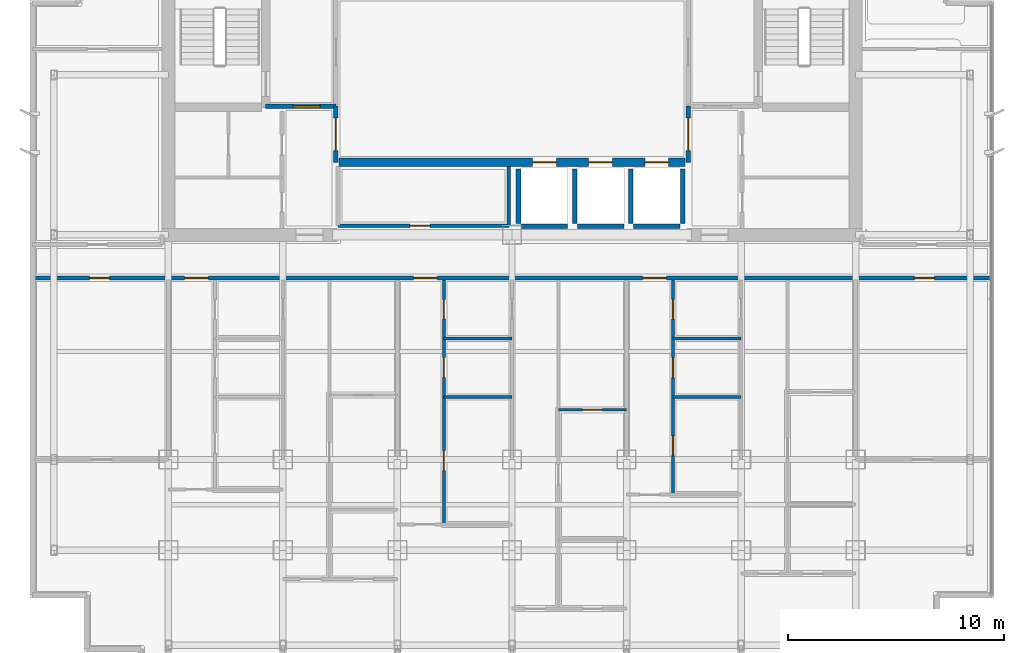
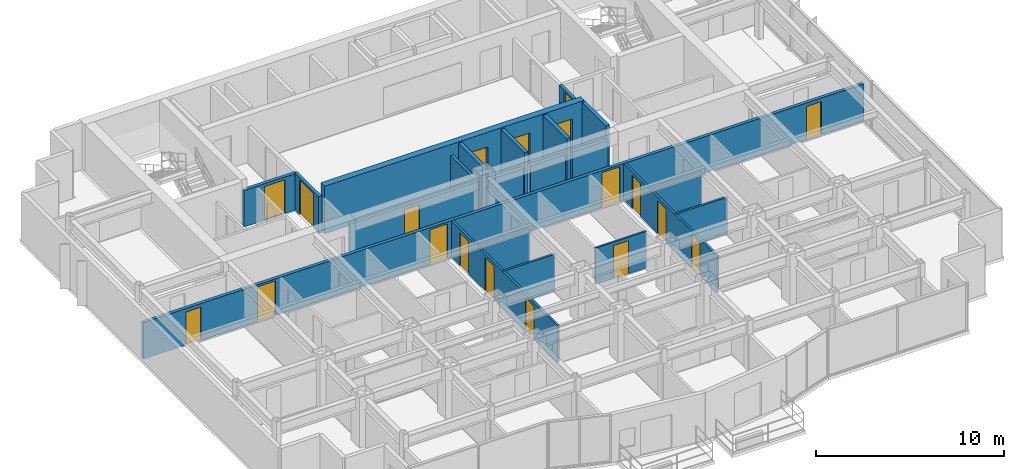
# One storey, part 9 of 13: 21 walls, 19 doors, 19 openings.
"""IFC4 building model written with IfcOpenShell, lengths in metres."""

from ifc_helpers import new_model, si_unit, direction, frame, frame_2d, origin, place, context, subcontext, project, spatial, rectangle, extrude, material, layer, layer_set, type_object, element, fill, save


model = new_model("IFC4")

# Units and contexts
model_context = context("Model", 3, precision=1e-05, world=origin(), true_north=direction((0.0, 1.0)))
body_context = subcontext(model_context, "Body", "Model", "MODEL_VIEW")
ifc_project = project(units=[si_unit("LENGTHUNIT", "METRE"), si_unit("AREAUNIT", "SQUARE_METRE"), si_unit("VOLUMEUNIT", "CUBIC_METRE"), si_unit("PLANEANGLEUNIT", "RADIAN"), si_unit("MASSUNIT", "GRAM", prefix="KILO")], contexts=[model_context])

# Site, building, storey
site_placement = place(None, origin())
site = spatial("IfcSite", under=ifc_project, at=site_placement, CompositionType="ELEMENT")
building_placement = place(site_placement, origin())
building = spatial("IfcBuilding", under=site, at=building_placement, Name="Qianlan Lanfeng Residences", CompositionType="ELEMENT")
storey_placement = place(building_placement, frame((0.0, 0.0, 159.0)))
storey = spatial("IfcBuildingStorey", under=building, at=storey_placement, Name="L43", CompositionType="ELEMENT", Elevation=159.0)

# Wall, openings, doors
ifc_material_1 = material(Name="Concrete C56", Category="concrete")
ifc_layer_1 = layer(ifc_material_1, 0.39990234375)
ifc_layer_set_1 = layer_set([ifc_layer_1], Name="Concrete C56")
wall_type_1 = type_object("IfcWallType", Name="CW-RC-400", PredefinedType="SHEAR", material=ifc_layer_set_1)
wall_1_placement = place(storey_placement, frame((18.5, 28.550048828125, 0.0), z_axis=(0.0, 0.0, 1.0), x_axis=(1.0, 0.0, 0.0)))
wall_1 = element("IfcWall", 1, at=wall_1_placement, inside=storey, type_object=wall_type_1, Name="L43 Core Shear Wall LBS", PredefinedType="SHEAR", context=body_context, shape_type="SweptSolid", body=[
    extrude(rectangle(XDim=16.0, YDim=0.39990234375, at=frame_2d((8.0, 0.0))), origin(), (0.0, 0.0, 1.0), 3.10009765625),
])
opening_1_placement = place(wall_1_placement, frame((8.949951171875, 0.0, 0.0)))
opening_1 = element("IfcOpeningElement", 2, at=opening_1_placement, cuts=wall_1, Name="Opening L43-LD-PL-M1", PredefinedType="OPENING", context=body_context, shape_type="SweptSolid", body=[
    extrude(rectangle(XDim=1.10009765625, YDim=2.14990234375, at=frame_2d((0.550048828125, 1.074951171875))), frame((0.0, 0.2099609375, 0.0), z_axis=(0.0, -1.0, 0.0), x_axis=(1.0, 0.0, 0.0)), (0.0, 0.0, 1.0), 0.419921875),
])
opening_2_placement = place(wall_1_placement, frame((11.550048828125, 0.0, 0.0)))
opening_2 = element("IfcOpeningElement", 3, at=opening_2_placement, cuts=wall_1, Name="Opening L43-LD-PL-M2", PredefinedType="OPENING", context=body_context, shape_type="SweptSolid", body=[
    extrude(rectangle(XDim=1.10009765625, YDim=2.14990234375, at=frame_2d((0.550048828125, 1.074951171875))), frame((0.0, 0.2099609375, 0.0), z_axis=(0.0, -1.0, 0.0), x_axis=(1.0, 0.0, 0.0)), (0.0, 0.0, 1.0), 0.419921875),
])
opening_3_placement = place(wall_1_placement, frame((14.14990234375, 0.0, 0.0)))
opening_3 = element("IfcOpeningElement", 4, at=opening_3_placement, cuts=wall_1, Name="Opening L43-LD-PL-M3", PredefinedType="OPENING", context=body_context, shape_type="SweptSolid", body=[
    extrude(rectangle(XDim=1.10009765625, YDim=2.14990234375, at=frame_2d((0.550048828125, 1.074951171875))), frame((0.0, 0.2099609375, 0.0), z_axis=(0.0, -1.0, 0.0), x_axis=(1.0, 0.0, 0.0)), (0.0, 0.0, 1.0), 0.419921875),
])
ifc_material_2 = material(Name="Brushed Stainless Steel Sliding Lift Door", Category="steel")
door_type_1 = type_object("IfcDoorType", Name="LD-01", OperationType="NOTDEFINED", PredefinedType="DOOR", material=ifc_material_2)
door_1_placement = place(opening_1_placement, origin())
door_1 = element("IfcDoor", 5, at=door_1_placement, inside=storey, type_object=door_type_1, Name="L43 Elevator PL-M1 Sliding Landing Door", OperationType="DOUBLE_DOOR_SLIDING", OverallHeight=2.14990234375, OverallWidth=1.10009765625, PredefinedType="DOOR", context=body_context, shape_type="SweptSolid", body=[
    extrude(rectangle(XDim=1.10009765625, YDim=2.14990234375, at=frame_2d((0.550048828125, 1.074951171875))), frame((0.0, 0.02490234375, 0.0), z_axis=(0.0, -1.0, 0.0), x_axis=(1.0, 0.0, 0.0)), (0.0, 0.0, 1.0), 0.050048828125),
])
fill(opening_1, door_1)
door_2_placement = place(opening_2_placement, origin())
door_2 = element("IfcDoor", 6, at=door_2_placement, inside=storey, type_object=door_type_1, Name="L43 Elevator PL-M2 Sliding Landing Door", OperationType="DOUBLE_DOOR_SLIDING", OverallHeight=2.14990234375, OverallWidth=1.10009765625, PredefinedType="DOOR", context=body_context, shape_type="SweptSolid", body=[
    extrude(rectangle(XDim=1.10009765625, YDim=2.14990234375, at=frame_2d((0.550048828125, 1.074951171875))), frame((0.0, 0.02490234375, 0.0), z_axis=(0.0, -1.0, 0.0), x_axis=(1.0, 0.0, 0.0)), (0.0, 0.0, 1.0), 0.050048828125),
])
fill(opening_2, door_2)
door_3_placement = place(opening_3_placement, origin())
door_3 = element("IfcDoor", 7, at=door_3_placement, inside=storey, type_object=door_type_1, Name="L43 Elevator PL-M3 Sliding Landing Door", OperationType="DOUBLE_DOOR_SLIDING", OverallHeight=2.14990234375, OverallWidth=1.10009765625, PredefinedType="DOOR", context=body_context, shape_type="SweptSolid", body=[
    extrude(rectangle(XDim=1.10009765625, YDim=2.14990234375, at=frame_2d((0.550048828125, 1.074951171875))), frame((0.0, 0.02490234375, 0.0), z_axis=(0.0, -1.0, 0.0), x_axis=(1.0, 0.0, 0.0)), (0.0, 0.0, 1.0), 0.050048828125),
])
fill(opening_3, door_3)

# Wall, opening, door
ifc_material_3 = material(Name="Demountable Acoustic Framing Partition 110 mm")
ifc_layer_2 = layer(ifc_material_3, 0.110107421875)
ifc_layer_set_2 = layer_set([ifc_layer_2], Name="Demountable Acoustic Framing Partition 110 mm")
wall_type_2 = type_object("IfcWallType", Name="PW-110", PredefinedType="MOVABLE", material=ifc_layer_set_2)
wall_2_placement = place(storey_placement, frame((28.64990234375, 17.09912109375, 0.0), z_axis=(0.0, 0.0, 1.0), x_axis=(1.0, 0.0, 0.0)))
wall_2 = element("IfcWall", 8, at=wall_2_placement, inside=storey, type_object=wall_type_2, Name="L43 U02 Wardrobe Split", PredefinedType="MOVABLE", context=body_context, shape_type="SweptSolid", body=[
    extrude(rectangle(XDim=3.150146484375, YDim=0.110107421875, at=frame_2d((1.5751953125, 0.0))), origin(), (0.0, 0.0, 1.0), 2.3798828125),
])
opening_4_placement = place(wall_2_placement, frame((1.114990234375, 0.0, 0.0)))
opening_4 = element("IfcOpeningElement", 9, at=opening_4_placement, cuts=wall_2, Name="Opening L43-D36", PredefinedType="OPENING", context=body_context, shape_type="SweptSolid", body=[
    extrude(rectangle(XDim=0.919921875, YDim=2.14990234375, at=frame_2d((0.4599609375, 1.074951171875))), frame((0.0, 0.06494140625, 0.0), z_axis=(0.0, -1.0, 0.0), x_axis=(1.0, 0.0, 0.0)), (0.0, 0.0, 1.0), 0.130126953125),
])
ifc_material_4 = material(Name="Glazed Timber Kitchen/Study Door", Category="wood")
door_type_2 = type_object("IfcDoorType", Name="DT-INT", OperationType="NOTDEFINED", PredefinedType="DOOR", material=ifc_material_4)
door_4_placement = place(opening_4_placement, origin())
door_4 = element("IfcDoor", 10, at=door_4_placement, inside=storey, type_object=door_type_2, Name="L43 U02 Dressing Inner Door L43-D36 (DT-INT)", OperationType="SINGLE_SWING_LEFT", OverallHeight=2.14990234375, OverallWidth=0.919921875, PredefinedType="DOOR", context=body_context, shape_type="SweptSolid", body=[
    extrude(rectangle(XDim=0.919921875, YDim=2.14990234375, at=frame_2d((0.4599609375, 1.074951171875))), frame((0.0, 0.02490234375, 0.0), z_axis=(0.0, -1.0, 0.0), x_axis=(1.0, 0.0, 0.0)), (0.0, 0.0, 1.0), 0.050048828125),
])
fill(opening_4, door_4)

# Wall, openings, doors
ifc_material_5 = material(Name="Moisture-Resistant Gypsum Partition 135 mm")
ifc_layer_3 = layer(ifc_material_5, 0.135009765625)
ifc_layer_set_3 = layer_set([ifc_layer_3], Name="Moisture-Resistant Gypsum Partition 135 mm")
wall_type_3 = type_object("IfcWallType", Name="PW-135", PredefinedType="PARTITIONING", material=ifc_layer_set_3)
wall_3_placement = place(storey_placement, frame((23.35009765625, 11.799072265625, 0.0), z_axis=(0.0, 0.0, 1.0), x_axis=(0.0, 1.0, 0.0)))
wall_3 = element("IfcWall", 11, at=wall_3_placement, inside=storey, type_object=wall_type_3, Name="L43 U02 Entry Hall Spine", PredefinedType="PARTITIONING", context=body_context, shape_type="SweptSolid", body=[
    extrude(rectangle(XDim=11.301025390625, YDim=0.135009765625, at=frame_2d((5.650390625, 0.0))), origin(), (0.0, 0.0, 1.0), 2.3798828125),
])
opening_5_placement = place(wall_3_placement, frame((2.489990234375, 0.0, 0.0)))
opening_5 = element("IfcOpeningElement", 12, at=opening_5_placement, cuts=wall_3, Name="Opening L43-D30", PredefinedType="OPENING", context=body_context, shape_type="SweptSolid", body=[
    extrude(rectangle(XDim=0.919921875, YDim=2.14990234375, at=frame_2d((0.4599609375, 1.074951171875))), frame((0.0, 0.07763671875, 0.0), z_axis=(0.0, -1.0, 0.0), x_axis=(1.0, 0.0, 0.0)), (0.0, 0.0, 1.0), 0.155029296875),
])
opening_6_placement = place(wall_3_placement, frame((6.791015625, 0.0, 0.0)))
opening_6 = element("IfcOpeningElement", 13, at=opening_6_placement, cuts=wall_3, Name="Opening L43-D31", PredefinedType="OPENING", context=body_context, shape_type="SweptSolid", body=[
    extrude(rectangle(XDim=0.919921875, YDim=2.14990234375, at=frame_2d((0.4599609375, 1.074951171875))), frame((0.0, 0.07763671875, 0.0), z_axis=(0.0, -1.0, 0.0), x_axis=(1.0, 0.0, 0.0)), (0.0, 0.0, 1.0), 0.155029296875),
])
opening_7_placement = place(wall_3_placement, frame((9.5009765625, 0.0, 0.0)))
opening_7 = element("IfcOpeningElement", 14, at=opening_7_placement, cuts=wall_3, Name="Opening L43-D32", PredefinedType="OPENING", context=body_context, shape_type="SweptSolid", body=[
    extrude(rectangle(XDim=0.89990234375, YDim=2.14990234375, at=frame_2d((0.449951171875, 1.074951171875))), frame((0.0, 0.07763671875, 0.0), z_axis=(0.0, -1.0, 0.0), x_axis=(1.0, 0.0, 0.0)), (0.0, 0.0, 1.0), 0.155029296875),
])
door_5_placement = place(opening_5_placement, origin())
door_5 = element("IfcDoor", 15, at=door_5_placement, inside=storey, type_object=door_type_2, Name="L43 U02 Study Door L43-D30 (DT-INT)", OperationType="SINGLE_SWING_LEFT", OverallHeight=2.14990234375, OverallWidth=0.919921875, PredefinedType="DOOR", context=body_context, shape_type="SweptSolid", body=[
    extrude(rectangle(XDim=0.919921875, YDim=2.14990234375, at=frame_2d((0.4599609375, 1.074951171875))), frame((0.0, 0.02490234375, 0.0), z_axis=(0.0, -1.0, 0.0), x_axis=(1.0, 0.0, 0.0)), (0.0, 0.0, 1.0), 0.050048828125),
])
fill(opening_5, door_5)
door_6_placement = place(opening_6_placement, origin())
door_6 = element("IfcDoor", 16, at=door_6_placement, inside=storey, type_object=door_type_2, Name="L43 U02 Kitchen Door L43-D31 (DT-INT)", OperationType="SINGLE_SWING_RIGHT", OverallHeight=2.14990234375, OverallWidth=0.919921875, PredefinedType="DOOR", context=body_context, shape_type="SweptSolid", body=[
    extrude(rectangle(XDim=0.919921875, YDim=2.14990234375, at=frame_2d((0.4599609375, 1.074951171875))), frame((0.0, 0.02490234375, 0.0), z_axis=(0.0, -1.0, 0.0), x_axis=(1.0, 0.0, 0.0)), (0.0, 0.0, 1.0), 0.050048828125),
])
fill(opening_6, door_6)
ifc_material_6 = material(Name="Moisture-Resistant Timber Leaf", Category="wood")
door_type_3 = type_object("IfcDoorType", Name="DT-WC", OperationType="NOTDEFINED", PredefinedType="DOOR", material=ifc_material_6)
door_7_placement = place(opening_7_placement, origin())
door_7 = element("IfcDoor", 17, at=door_7_placement, inside=storey, type_object=door_type_3, Name="L43 U02 Bathroom Door L43-D32 (DT-WC)", OperationType="SINGLE_SWING_LEFT", OverallHeight=2.14990234375, OverallWidth=0.89990234375, PredefinedType="DOOR", context=body_context, shape_type="SweptSolid", body=[
    extrude(rectangle(XDim=0.89990234375, YDim=2.14990234375, at=frame_2d((0.449951171875, 1.074951171875))), frame((0.0, 0.02490234375, 0.0), z_axis=(0.0, -1.0, 0.0), x_axis=(1.0, 0.0, 0.0)), (0.0, 0.0, 1.0), 0.050048828125),
])
fill(opening_7, door_7)

# Walls
for number, where, z_axis, x_axis, name in (
    (18, (23.35009765625, 17.699951171875, 0.0), (0.0, 0.0, 1.0), (1.0, 0.0, 0.0), "L43 U02 Kitchen South Wall"),
    (19, (23.35009765625, 20.39990234375, 0.0), (0.0, 0.0, 1.0), (1.0, 0.0, 0.0), "L43 U02 Bathroom South Wall"),
):
    element("IfcWall", number, at=place(storey_placement, frame(where, z_axis=z_axis, x_axis=x_axis)), inside=storey, type_object=wall_type_3, Name=name, PredefinedType="PARTITIONING", context=body_context, shape_type="SweptSolid", body=[
        extrude(rectangle(XDim=3.14990234375, YDim=0.135009765625, at=frame_2d((1.574951171875, 0.0))), origin(), (0.0, 0.0, 1.0), 2.3798828125),
    ])

# Wall, openings, doors
wall_4_placement = place(storey_placement, frame((33.949951171875, 13.174072265625, 0.0), z_axis=(0.0, 0.0, 1.0), x_axis=(0.0, 1.0, 0.0)))
wall_4 = element("IfcWall", 20, at=wall_4_placement, inside=storey, type_object=wall_type_3, Name="L43 U03 Entry Hall Spine", PredefinedType="PARTITIONING", context=body_context, shape_type="SweptSolid", body=[
    extrude(rectangle(XDim=9.926025390625, YDim=0.135009765625, at=frame_2d((4.962890625, 0.0))), origin(), (0.0, 0.0, 1.0), 2.3798828125),
])
opening_8_placement = place(wall_4_placement, frame((1.802978515625, 0.0, 0.0)))
opening_8 = element("IfcOpeningElement", 21, at=opening_8_placement, cuts=wall_4, Name="Opening L43-D40", PredefinedType="OPENING", context=body_context, shape_type="SweptSolid", body=[
    extrude(rectangle(XDim=0.919921875, YDim=2.14990234375, at=frame_2d((0.4599609375, 1.074951171875))), frame((0.0, 0.07763671875, 0.0), z_axis=(0.0, -1.0, 0.0), x_axis=(1.0, 0.0, 0.0)), (0.0, 0.0, 1.0), 0.155029296875),
])
opening_9_placement = place(wall_4_placement, frame((5.416015625, 0.0, 0.0)))
opening_9 = element("IfcOpeningElement", 22, at=opening_9_placement, cuts=wall_4, Name="Opening L43-D41", PredefinedType="OPENING", context=body_context, shape_type="SweptSolid", body=[
    extrude(rectangle(XDim=0.919921875, YDim=2.14990234375, at=frame_2d((0.4599609375, 1.074951171875))), frame((0.0, 0.07763671875, 0.0), z_axis=(0.0, -1.0, 0.0), x_axis=(1.0, 0.0, 0.0)), (0.0, 0.0, 1.0), 0.155029296875),
])
opening_10_placement = place(wall_4_placement, frame((8.1259765625, 0.0, 0.0)))
opening_10 = element("IfcOpeningElement", 23, at=opening_10_placement, cuts=wall_4, Name="Opening L43-D42", PredefinedType="OPENING", context=body_context, shape_type="SweptSolid", body=[
    extrude(rectangle(XDim=0.89990234375, YDim=2.14990234375, at=frame_2d((0.449951171875, 1.074951171875))), frame((0.0, 0.07763671875, 0.0), z_axis=(0.0, -1.0, 0.0), x_axis=(1.0, 0.0, 0.0)), (0.0, 0.0, 1.0), 0.155029296875),
])
door_8_placement = place(opening_8_placement, origin())
door_8 = element("IfcDoor", 24, at=door_8_placement, inside=storey, type_object=door_type_2, Name="L43 U03 Study Door L43-D40 (DT-INT)", OperationType="SINGLE_SWING_LEFT", OverallHeight=2.14990234375, OverallWidth=0.919921875, PredefinedType="DOOR", context=body_context, shape_type="SweptSolid", body=[
    extrude(rectangle(XDim=0.919921875, YDim=2.14990234375, at=frame_2d((0.4599609375, 1.074951171875))), frame((0.0, 0.02490234375, 0.0), z_axis=(0.0, -1.0, 0.0), x_axis=(1.0, 0.0, 0.0)), (0.0, 0.0, 1.0), 0.050048828125),
])
fill(opening_8, door_8)
door_9_placement = place(opening_9_placement, origin())
door_9 = element("IfcDoor", 25, at=door_9_placement, inside=storey, type_object=door_type_2, Name="L43 U03 Kitchen Door L43-D41 (DT-INT)", OperationType="SINGLE_SWING_RIGHT", OverallHeight=2.14990234375, OverallWidth=0.919921875, PredefinedType="DOOR", context=body_context, shape_type="SweptSolid", body=[
    extrude(rectangle(XDim=0.919921875, YDim=2.14990234375, at=frame_2d((0.4599609375, 1.074951171875))), frame((0.0, 0.02490234375, 0.0), z_axis=(0.0, -1.0, 0.0), x_axis=(1.0, 0.0, 0.0)), (0.0, 0.0, 1.0), 0.050048828125),
])
fill(opening_9, door_9)
door_10_placement = place(opening_10_placement, origin())
door_10 = element("IfcDoor", 26, at=door_10_placement, inside=storey, type_object=door_type_3, Name="L43 U03 Bathroom Door L43-D42 (DT-WC)", OperationType="SINGLE_SWING_LEFT", OverallHeight=2.14990234375, OverallWidth=0.89990234375, PredefinedType="DOOR", context=body_context, shape_type="SweptSolid", body=[
    extrude(rectangle(XDim=0.89990234375, YDim=2.14990234375, at=frame_2d((0.449951171875, 1.074951171875))), frame((0.0, 0.02490234375, 0.0), z_axis=(0.0, -1.0, 0.0), x_axis=(1.0, 0.0, 0.0)), (0.0, 0.0, 1.0), 0.050048828125),
])
fill(opening_10, door_10)

# Walls
for number, where, z_axis, x_axis, name in (
    (27, (33.949951171875, 17.699951171875, 0.0), (0.0, 0.0, 1.0), (1.0, 0.0, 0.0), "L43 U03 Kitchen South Wall"),
    (28, (33.949951171875, 20.39990234375, 0.0), (0.0, 0.0, 1.0), (1.0, 0.0, 0.0), "L43 U03 Bathroom South Wall"),
):
    element("IfcWall", number, at=place(storey_placement, frame(where, z_axis=z_axis, x_axis=x_axis)), inside=storey, type_object=wall_type_3, Name=name, PredefinedType="PARTITIONING", context=body_context, shape_type="SweptSolid", body=[
        extrude(rectangle(XDim=3.150146484375, YDim=0.135009765625, at=frame_2d((1.5751953125, 0.0))), origin(), (0.0, 0.0, 1.0), 2.3798828125),
    ])
ifc_material_7 = material(Name="Double-Layer Acoustic Gypsum Stud Wall 180 mm")
ifc_layer_4 = layer(ifc_material_7, 0.179931640625)
ifc_layer_set_4 = layer_set([ifc_layer_4], Name="Double-Layer Acoustic Gypsum Stud Wall 180 mm")
wall_type_4 = type_object("IfcWallType", Name="PW-180", PredefinedType="PARTITIONING", material=ifc_layer_set_4)
wall_5_placement = place(storey_placement, frame((26.35009765625, 25.6201171875, 0.0), z_axis=(0.0, 0.0, 1.0), x_axis=(0.0, 1.0, 0.0)))
element("IfcWall", 29, at=wall_5_placement, inside=storey, type_object=wall_type_4, Name="L43 Reclaimed Low-Bank Room East Wall", PredefinedType="PARTITIONING", context=body_context, shape_type="SweptSolid", body=[
    extrude(rectangle(XDim=2.72998046875, YDim=0.179931640625, at=frame_2d((1.364990234375, 0.0))), origin(), (0.0, 0.0, 1.0), 2.3798828125),
])

# Wall, opening, door
wall_6_placement = place(storey_placement, frame((18.449951171875, 25.6201171875, 0.0), z_axis=(0.0, 0.0, 1.0), x_axis=(1.0, 0.0, 0.0)))
wall_6 = element("IfcWall", 30, at=wall_6_placement, inside=storey, type_object=wall_type_4, Name="L43 Reclaimed Low-Bank Room South Wall", PredefinedType="PARTITIONING", context=body_context, shape_type="SweptSolid", body=[
    extrude(rectangle(XDim=7.900146484375, YDim=0.179931640625, at=frame_2d((3.9501953125, 0.0))), origin(), (0.0, 0.0, 1.0), 2.3798828125),
])
opening_11_placement = place(wall_6_placement, frame((3.340087890625, 0.0, 0.0)))
opening_11 = element("IfcOpeningElement", 31, at=opening_11_placement, cuts=wall_6, Name="Opening L43-D16", PredefinedType="OPENING", context=body_context, shape_type="SweptSolid", body=[
    extrude(rectangle(XDim=0.919921875, YDim=2.14990234375, at=frame_2d((0.4599609375, 1.074951171875))), frame((0.0, 0.10009765625, 0.0), z_axis=(0.0, -1.0, 0.0), x_axis=(1.0, 0.0, 0.0)), (0.0, 0.0, 1.0), 0.199951171875),
])
door_11_placement = place(opening_11_placement, origin())
door_11 = element("IfcDoor", 32, at=door_11_placement, inside=storey, type_object=door_type_2, Name="L43 Reclaimed Core Salon Door L43-D16 (DT-INT)", OperationType="SINGLE_SWING_LEFT", OverallHeight=2.14990234375, OverallWidth=0.919921875, PredefinedType="DOOR", context=body_context, shape_type="SweptSolid", body=[
    extrude(rectangle(XDim=0.919921875, YDim=2.14990234375, at=frame_2d((0.4599609375, 1.074951171875))), frame((0.0, 0.02490234375, 0.0), z_axis=(0.0, -1.0, 0.0), x_axis=(1.0, 0.0, 0.0)), (0.0, 0.0, 1.0), 0.050048828125),
])
fill(opening_11, door_11)

ifc_material_8 = material(Name="Autoclaved Aerated Concrete Blockwork 200 mm", Category="masonry")
ifc_layer_5 = layer(ifc_material_8, 0.199951171875)
ifc_layer_set_5 = layer_set([ifc_layer_5], Name="Autoclaved Aerated Concrete Blockwork 200 mm")
wall_type_5 = type_object("IfcWallType", Name="PW-200", PredefinedType="PARTITIONING", material=ifc_layer_set_5)
wall_7_placement = place(storey_placement, frame((15.10009765625, 31.14990234375, 0.0), z_axis=(0.0, 0.0, 1.0), x_axis=(1.0, 0.0, 0.0)))
wall_7 = element("IfcWall", 33, at=wall_7_placement, inside=storey, type_object=wall_type_5, Name="L43 Firefighting Lobby 1 South Wall", PredefinedType="PARTITIONING", context=body_context, shape_type="SweptSolid", body=[
    extrude(rectangle(XDim=3.25, YDim=0.199951171875, at=frame_2d((1.625, 0.0))), origin(), (0.0, 0.0, 1.0), 2.3798828125),
])
opening_12_placement = place(wall_7_placement, frame((1.27490234375, 0.0, 0.0)))
opening_12 = element("IfcOpeningElement", 34, at=opening_12_placement, cuts=wall_7, Name="Opening L43-D03", PredefinedType="OPENING", context=body_context, shape_type="SweptSolid", body=[
    extrude(rectangle(XDim=1.25, YDim=2.199951171875, at=frame_2d((0.625, 1.10009765625))), frame((0.0, 0.10986328125, 0.0), z_axis=(0.0, -1.0, 0.0), x_axis=(1.0, 0.0, 0.0)), (0.0, 0.0, 1.0), 0.219970703125),
])
ifc_material_9 = material(Name="Painted Galvanised Steel Fire Door", Category="steel")
door_type_4 = type_object("IfcDoorType", Name="DT-FFL", OperationType="NOTDEFINED", PredefinedType="DOOR", material=ifc_material_9)
door_12_placement = place(opening_12_placement, origin())
door_12 = element("IfcDoor", 35, at=door_12_placement, inside=storey, type_object=door_type_4, Name="L43 Firefighting Lobby 1 Entry Door L43-D03 (DT-FFL)", OperationType="SINGLE_SWING_LEFT", OverallHeight=2.199951171875, OverallWidth=1.25, PredefinedType="DOOR", context=body_context, shape_type="SweptSolid", body=[
    extrude(rectangle(XDim=1.25, YDim=2.199951171875, at=frame_2d((0.625, 1.10009765625))), frame((0.0, 0.02490234375, 0.0), z_axis=(0.0, -1.0, 0.0), x_axis=(1.0, 0.0, 0.0)), (0.0, 0.0, 1.0), 0.050048828125),
])
fill(opening_12, door_12)

wall_8_placement = place(storey_placement, frame((18.35009765625, 28.550048828125, 0.0), z_axis=(0.0, 0.0, 1.0), x_axis=(0.0, 1.0, 0.0)))
wall_8 = element("IfcWall", 36, at=wall_8_placement, inside=storey, type_object=wall_type_5, Name="L43 Lift Lobby West Connector Wall", PredefinedType="PARTITIONING", context=body_context, shape_type="SweptSolid", body=[
    extrude(rectangle(XDim=2.599853515625, YDim=0.199951171875, at=frame_2d((1.2998046875, 0.0))), origin(), (0.0, 0.0, 1.0), 2.3798828125),
])
opening_13_placement = place(wall_8_placement, frame((0.550048828125, 0.0, 0.0)))
opening_13 = element("IfcOpeningElement", 37, at=opening_13_placement, cuts=wall_8, Name="Opening L43-D14", PredefinedType="OPENING", context=body_context, shape_type="SweptSolid", body=[
    extrude(rectangle(XDim=1.5, YDim=2.25, at=frame_2d((0.75, 1.125))), frame((0.0, 0.10986328125, 0.0), z_axis=(0.0, -1.0, 0.0), x_axis=(1.0, 0.0, 0.0)), (0.0, 0.0, 1.0), 0.219970703125),
])
ifc_material_10 = material(Name="Timber Veneer Acoustic Fire Door", Category="wood")
door_type_5 = type_object("IfcDoorType", Name="DT-COR1", OperationType="NOTDEFINED", PredefinedType="DOOR", material=ifc_material_10)
door_13_placement = place(opening_13_placement, origin())
door_13 = element("IfcDoor", 38, at=door_13_placement, inside=storey, type_object=door_type_5, Name="L43 Lift Lobby West Portal Door L43-D14 (DT-COR1)", OperationType="DOUBLE_DOOR_SINGLE_SWING", OverallHeight=2.25, OverallWidth=1.5, PredefinedType="DOOR", context=body_context, shape_type="SweptSolid", body=[
    extrude(rectangle(XDim=1.5, YDim=2.25, at=frame_2d((0.75, 1.125))), frame((0.0, 0.02490234375, 0.0), z_axis=(0.0, -1.0, 0.0), x_axis=(1.0, 0.0, 0.0)), (0.0, 0.0, 1.0), 0.050048828125),
])
fill(opening_13, door_13)

wall_9_placement = place(storey_placement, frame((34.64990234375, 28.550048828125, 0.0), z_axis=(0.0, 0.0, 1.0), x_axis=(0.0, 1.0, 0.0)))
wall_9 = element("IfcWall", 39, at=wall_9_placement, inside=storey, type_object=wall_type_5, Name="L43 Lift Lobby East Connector Wall", PredefinedType="PARTITIONING", context=body_context, shape_type="SweptSolid", body=[
    extrude(rectangle(XDim=2.599853515625, YDim=0.199951171875, at=frame_2d((1.2998046875, 0.0))), origin(), (0.0, 0.0, 1.0), 2.3798828125),
])
opening_14_placement = place(wall_9_placement, frame((0.550048828125, 0.0, 0.0)))
opening_14 = element("IfcOpeningElement", 40, at=opening_14_placement, cuts=wall_9, Name="Opening L43-D15", PredefinedType="OPENING", context=body_context, shape_type="SweptSolid", body=[
    extrude(rectangle(XDim=1.5, YDim=2.25, at=frame_2d((0.75, 1.125))), frame((0.0, 0.10986328125, 0.0), z_axis=(0.0, -1.0, 0.0), x_axis=(1.0, 0.0, 0.0)), (0.0, 0.0, 1.0), 0.219970703125),
])
door_14_placement = place(opening_14_placement, frame((1.5, 0.0, 0.0), z_axis=(0.0, 0.0, 1.0), x_axis=(-1.0, 0.0, 0.0)))
door_14 = element("IfcDoor", 41, at=door_14_placement, inside=storey, type_object=door_type_5, Name="L43 Lift Lobby East Portal Door L43-D15 (DT-COR1)", OperationType="DOUBLE_DOOR_SINGLE_SWING", OverallHeight=2.25, OverallWidth=1.5, PredefinedType="DOOR", context=body_context, shape_type="SweptSolid", body=[
    extrude(rectangle(XDim=1.5, YDim=2.25, at=frame_2d((0.75, 1.125))), frame((0.0, 0.02490234375, 0.0), z_axis=(0.0, -1.0, 0.0), x_axis=(1.0, 0.0, 0.0)), (0.0, 0.0, 1.0), 0.050048828125),
])
fill(opening_14, door_14)

# Wall, openings, doors
wall_10_placement = place(storey_placement, frame((4.320068359375, 23.199951171875, 0.0), z_axis=(0.0, 0.0, 1.0), x_axis=(1.0, 0.0, 0.0)))
wall_10 = element("IfcWall", 42, at=wall_10_placement, inside=storey, type_object=wall_type_5, Name="L43 Residential Corridor South Fire Wall", PredefinedType="PARTITIONING", context=body_context, shape_type="SweptSolid", body=[
    extrude(rectangle(XDim=44.35986328125, YDim=0.199951171875, at=frame_2d((22.179931640625, 0.0))), origin(), (0.0, 0.0, 1.0), 2.3798828125),
])
opening_15_placement = place(wall_10_placement, frame((7.030029296875, 0.0, 0.0)))
opening_15 = element("IfcOpeningElement", 43, at=opening_15_placement, cuts=wall_10, Name="Opening L43-D17", PredefinedType="OPENING", context=body_context, shape_type="SweptSolid", body=[
    extrude(rectangle(XDim=1.10009765625, YDim=2.25, at=frame_2d((0.550048828125, 1.125))), frame((0.0, 0.10986328125, 0.0), z_axis=(0.0, -1.0, 0.0), x_axis=(1.0, 0.0, 0.0)), (0.0, 0.0, 1.0), 0.219970703125),
])
opening_16_placement = place(wall_10_placement, frame((17.6298828125, 0.0, 0.0)))
opening_16 = element("IfcOpeningElement", 44, at=opening_16_placement, cuts=wall_10, Name="Opening L43-D27", PredefinedType="OPENING", context=body_context, shape_type="SweptSolid", body=[
    extrude(rectangle(XDim=1.10009765625, YDim=2.25, at=frame_2d((0.550048828125, 1.125))), frame((0.0, 0.10986328125, 0.0), z_axis=(0.0, -1.0, 0.0), x_axis=(1.0, 0.0, 0.0)), (0.0, 0.0, 1.0), 0.219970703125),
])
opening_17_placement = place(wall_10_placement, frame((28.22998046875, 0.0, 0.0)))
opening_17 = element("IfcOpeningElement", 45, at=opening_17_placement, cuts=wall_10, Name="Opening L43-D37", PredefinedType="OPENING", context=body_context, shape_type="SweptSolid", body=[
    extrude(rectangle(XDim=1.10009765625, YDim=2.25, at=frame_2d((0.550048828125, 1.125))), frame((0.0, 0.10986328125, 0.0), z_axis=(0.0, -1.0, 0.0), x_axis=(1.0, 0.0, 0.0)), (0.0, 0.0, 1.0), 0.219970703125),
])
opening_18_placement = place(wall_10_placement, frame((2.635009765625, 0.0, 0.0)))
opening_18 = element("IfcOpeningElement", 46, at=opening_18_placement, cuts=wall_10, Name="Opening L43-D48", PredefinedType="OPENING", context=body_context, shape_type="SweptSolid", body=[
    extrude(rectangle(XDim=0.919921875, YDim=2.14990234375, at=frame_2d((0.4599609375, 1.074951171875))), frame((0.0, 0.10986328125, 0.0), z_axis=(0.0, -1.0, 0.0), x_axis=(1.0, 0.0, 0.0)), (0.0, 0.0, 1.0), 0.219970703125),
])
opening_19_placement = place(wall_10_placement, frame((40.804931640625, 0.0, 0.0)))
opening_19 = element("IfcOpeningElement", 47, at=opening_19_placement, cuts=wall_10, Name="Opening L43-D50", PredefinedType="OPENING", context=body_context, shape_type="SweptSolid", body=[
    extrude(rectangle(XDim=0.919921875, YDim=2.14990234375, at=frame_2d((0.4599609375, 1.074951171875))), frame((0.0, 0.10986328125, 0.0), z_axis=(0.0, -1.0, 0.0), x_axis=(1.0, 0.0, 0.0)), (0.0, 0.0, 1.0), 0.219970703125),
])
door_15_placement = place(opening_18_placement, origin())
door_15 = element("IfcDoor", 48, at=door_15_placement, inside=storey, type_object=door_type_2, Name="L43 SWP Corridor Door L43-D48 (DT-INT)", OperationType="SINGLE_SWING_LEFT", OverallHeight=2.14990234375, OverallWidth=0.919921875, PredefinedType="DOOR", context=body_context, shape_type="SweptSolid", body=[
    extrude(rectangle(XDim=0.919921875, YDim=2.14990234375, at=frame_2d((0.4599609375, 1.074951171875))), frame((0.0, 0.02490234375, 0.0), z_axis=(0.0, -1.0, 0.0), x_axis=(1.0, 0.0, 0.0)), (0.0, 0.0, 1.0), 0.050048828125),
])
fill(opening_18, door_15)
door_16_placement = place(opening_19_placement, origin())
door_16 = element("IfcDoor", 49, at=door_16_placement, inside=storey, type_object=door_type_2, Name="L43 SEP Corridor Door L43-D50 (DT-INT)", OperationType="SINGLE_SWING_LEFT", OverallHeight=2.14990234375, OverallWidth=0.919921875, PredefinedType="DOOR", context=body_context, shape_type="SweptSolid", body=[
    extrude(rectangle(XDim=0.919921875, YDim=2.14990234375, at=frame_2d((0.4599609375, 1.074951171875))), frame((0.0, 0.02490234375, 0.0), z_axis=(0.0, -1.0, 0.0), x_axis=(1.0, 0.0, 0.0)), (0.0, 0.0, 1.0), 0.050048828125),
])
fill(opening_19, door_16)
ifc_material_11 = material(Name="Solid-Core Oak Veneer Fire Door")
door_type_6 = type_object("IfcDoorType", Name="DT-UNIT", OperationType="NOTDEFINED", PredefinedType="DOOR", material=ifc_material_11)
door_17_placement = place(opening_15_placement, origin())
door_17 = element("IfcDoor", 50, at=door_17_placement, inside=storey, type_object=door_type_6, Name="L43 Apartment U01 Entrance Door L43-D17 (DT-UNIT)", OperationType="SINGLE_SWING_RIGHT", OverallHeight=2.25, OverallWidth=1.10009765625, PredefinedType="DOOR", context=body_context, shape_type="SweptSolid", body=[
    extrude(rectangle(XDim=1.10009765625, YDim=2.25, at=frame_2d((0.550048828125, 1.125))), frame((0.0, 0.02490234375, 0.0), z_axis=(0.0, -1.0, 0.0), x_axis=(1.0, 0.0, 0.0)), (0.0, 0.0, 1.0), 0.050048828125),
])
fill(opening_15, door_17)
door_18_placement = place(opening_16_placement, origin())
door_18 = element("IfcDoor", 51, at=door_18_placement, inside=storey, type_object=door_type_6, Name="L43 Apartment U02 Entrance Door L43-D27 (DT-UNIT)", OperationType="SINGLE_SWING_RIGHT", OverallHeight=2.25, OverallWidth=1.10009765625, PredefinedType="DOOR", context=body_context, shape_type="SweptSolid", body=[
    extrude(rectangle(XDim=1.10009765625, YDim=2.25, at=frame_2d((0.550048828125, 1.125))), frame((0.0, 0.02490234375, 0.0), z_axis=(0.0, -1.0, 0.0), x_axis=(1.0, 0.0, 0.0)), (0.0, 0.0, 1.0), 0.050048828125),
])
fill(opening_16, door_18)
door_19_placement = place(opening_17_placement, origin())
door_19 = element("IfcDoor", 52, at=door_19_placement, inside=storey, type_object=door_type_6, Name="L43 Apartment U03 Entrance Door L43-D37 (DT-UNIT)", OperationType="SINGLE_SWING_RIGHT", OverallHeight=2.25, OverallWidth=1.10009765625, PredefinedType="DOOR", context=body_context, shape_type="SweptSolid", body=[
    extrude(rectangle(XDim=1.10009765625, YDim=2.25, at=frame_2d((0.550048828125, 1.125))), frame((0.0, 0.02490234375, 0.0), z_axis=(0.0, -1.0, 0.0), x_axis=(1.0, 0.0, 0.0)), (0.0, 0.0, 1.0), 0.050048828125),
])
fill(opening_17, door_19)

# Walls
ifc_material_12 = material(Name="Concrete C49", Category="concrete")
ifc_layer_6 = layer(ifc_material_12, 0.219970703125)
ifc_layer_set_6 = layer_set([ifc_layer_6], Name="Concrete C49")
wall_type_6 = type_object("IfcWallType", Name="SHW-220", PredefinedType="SOLIDWALL", material=ifc_layer_set_6)
wall_11_placement = place(storey_placement, frame((26.800048828125, 25.719970703125, 0.0), z_axis=(0.0, 0.0, 1.0), x_axis=(0.0, 1.0, 0.0)))
element("IfcWall", 53, at=wall_11_placement, inside=storey, type_object=wall_type_6, Name="L43 Lift PL-M1 Shaft Wall W", PredefinedType="SOLIDWALL", context=body_context, shape_type="SweptSolid", body=[
    extrude(rectangle(XDim=2.530029296875, YDim=0.219970703125, at=frame_2d((1.26513671875, 0.0))), origin(), (0.0, 0.0, 1.0), 3.10009765625),
])
wall_12_placement = place(storey_placement, frame((26.919921875, 25.60009765625, 0.0), z_axis=(0.0, 0.0, 1.0), x_axis=(1.0, 0.0, 0.0)))
element("IfcWall", 54, at=wall_12_placement, inside=storey, type_object=wall_type_6, Name="L43 Lift PL-M1 Shaft Back Wall S", PredefinedType="SOLIDWALL", context=body_context, shape_type="SweptSolid", body=[
    extrude(rectangle(XDim=2.16015625, YDim=0.219970703125, at=frame_2d((1.080078125, 0.0))), origin(), (0.0, 0.0, 1.0), 2.294921875),
])
wall_13_placement = place(storey_placement, frame((29.39990234375, 25.719970703125, 0.0), z_axis=(0.0, 0.0, 1.0), x_axis=(0.0, 1.0, 0.0)))
element("IfcWall", 55, at=wall_13_placement, inside=storey, type_object=wall_type_6, Name="L43 Lift PL-M2 Shaft Wall W", PredefinedType="SOLIDWALL", context=body_context, shape_type="SweptSolid", body=[
    extrude(rectangle(XDim=2.530029296875, YDim=0.219970703125, at=frame_2d((1.26513671875, 0.0))), origin(), (0.0, 0.0, 1.0), 3.10009765625),
])
wall_14_placement = place(storey_placement, frame((29.52001953125, 25.60009765625, 0.0), z_axis=(0.0, 0.0, 1.0), x_axis=(1.0, 0.0, 0.0)))
element("IfcWall", 56, at=wall_14_placement, inside=storey, type_object=wall_type_6, Name="L43 Lift PL-M2 Shaft Back Wall S", PredefinedType="SOLIDWALL", context=body_context, shape_type="SweptSolid", body=[
    extrude(rectangle(XDim=2.159912109375, YDim=0.219970703125, at=frame_2d((1.080078125, 0.0))), origin(), (0.0, 0.0, 1.0), 2.294921875),
])
for number, where, z_axis, x_axis, name in (
    (57, (32.0, 25.719970703125, 0.0), (0.0, 0.0, 1.0), (0.0, 1.0, 0.0), "L43 Lift PL-M3 Shaft Wall W"),
    (58, (34.39990234375, 25.719970703125, 0.0), (0.0, 0.0, 1.0), (0.0, 1.0, 0.0), "L43 Lift PL-M3 Shaft Wall E"),
):
    element("IfcWall", number, at=place(storey_placement, frame(where, z_axis=z_axis, x_axis=x_axis)), inside=storey, type_object=wall_type_6, Name=name, PredefinedType="SOLIDWALL", context=body_context, shape_type="SweptSolid", body=[
        extrude(rectangle(XDim=2.530029296875, YDim=0.219970703125, at=frame_2d((1.26513671875, 0.0))), origin(), (0.0, 0.0, 1.0), 3.10009765625),
    ])
wall_15_placement = place(storey_placement, frame((32.1201171875, 25.60009765625, 0.0), z_axis=(0.0, 0.0, 1.0), x_axis=(1.0, 0.0, 0.0)))
element("IfcWall", 59, at=wall_15_placement, inside=storey, type_object=wall_type_6, Name="L43 Lift PL-M3 Shaft Back Wall S", PredefinedType="SOLIDWALL", context=body_context, shape_type="SweptSolid", body=[
    extrude(rectangle(XDim=2.159912109375, YDim=0.219970703125, at=frame_2d((1.080078125, 0.0))), origin(), (0.0, 0.0, 1.0), 2.294921875),
])

save(model, "model.ifc")
